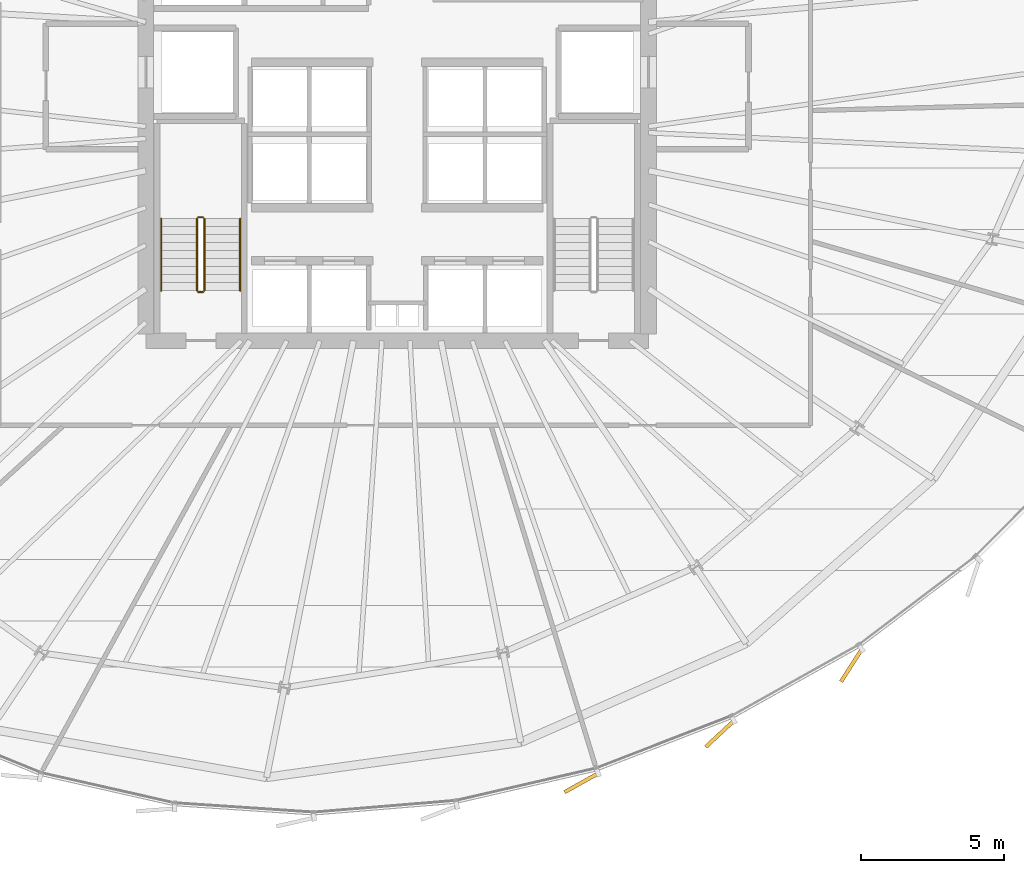
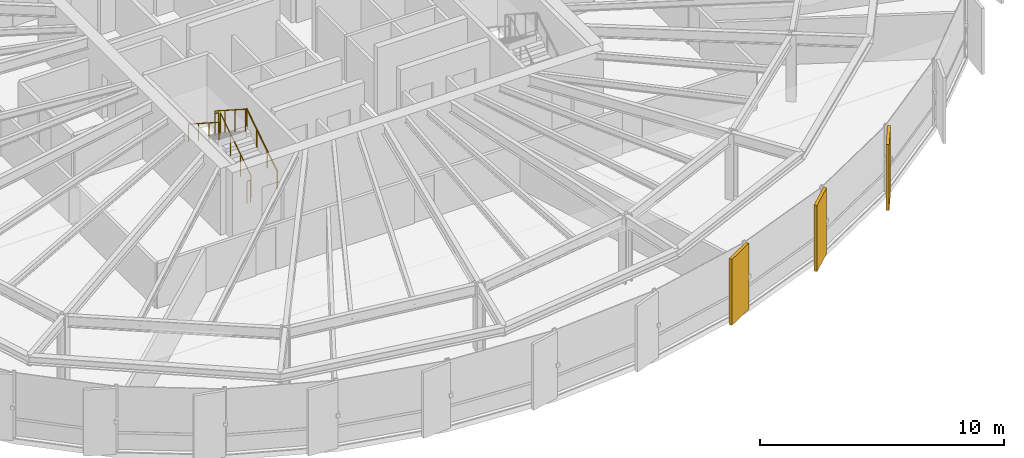
# One storey, part 33 of 35: 6 railings, 3 coverings.
"""IFC4 building model written with IfcOpenShell, lengths in metres."""

from ifc_helpers import new_model, si_unit, direction, frame, origin, origin_2d, place, context, subcontext, project, spatial, rectangle, circle, extrude, source, transform, mapped, material, layer, layer_set, type_object, element, save


model = new_model("IFC4")

# Units and contexts
model_context = context("Model", 3, precision=1e-05, world=origin(), true_north=direction((0.0, 1.0)))
body_context = subcontext(model_context, "Body", "Model", "MODEL_VIEW")
ifc_project = project(units=[si_unit("LENGTHUNIT", "METRE"), si_unit("AREAUNIT", "SQUARE_METRE"), si_unit("VOLUMEUNIT", "CUBIC_METRE"), si_unit("PLANEANGLEUNIT", "RADIAN"), si_unit("MASSUNIT", "GRAM", prefix="KILO"), si_unit("THERMODYNAMICTEMPERATUREUNIT", "KELVIN")], contexts=[model_context])

# Site, building, storey
site_placement = place(None, origin())
site = spatial("IfcSite", under=ifc_project, at=site_placement, CompositionType="ELEMENT")
building_placement = place(site_placement, origin())
building = spatial("IfcBuilding", under=site, at=building_placement, Name="Kethvar Cultural Tower", CompositionType="ELEMENT")
storey_placement = place(building_placement, frame((0.0, 0.0, 103.60009765625)))
storey = spatial("IfcBuildingStorey", under=building, at=storey_placement, Name="L25", CompositionType="ELEMENT", Elevation=103.60009765625)

# Railings
ifc_material_1 = material(Name="Steel S355J2", Category="steel")
railing_type_1 = type_object("IfcRailingType", Name="RL-STAIR-GUARD", PredefinedType="BALUSTRADE", material=ifc_material_1)
railing_1_placement = place(storey_placement, frame((40.050048828125, 21.85009765625, 0.179931640625)))
element("IfcRailing", 1, at=railing_1_placement, inside=storey, type_object=railing_type_1, Name="L25 ST-01 stair guard 1", PredefinedType="BALUSTRADE", context=body_context, shape_type="SweptSolid", body=[
    extrude(circle(Radius=0.02392578125, at=origin_2d()), frame((0.0, 0.0, 1.09619140625), z_axis=(0.0, 0.841199657755, 0.540724639528), x_axis=(-1.0, 0.0, 0.0)), (0.0, 0.0, 1.0), 2.995849609375),
    extrude(circle(Radius=0.02099609375, at=origin_2d()), origin(), (0.0, 0.0, 1.0), 1.072021484375),
    extrude(circle(Radius=0.02099609375, at=origin_2d()), frame((0.0, 0.840087890625, 0.5400390625)), (0.0, 0.0, 1.0), 1.072021484375),
    extrude(circle(Radius=0.02099609375, at=origin_2d()), frame((0.0, 1.679931640625, 1.079833984375)), (0.0, 0.0, 1.0), 1.072021484375),
    extrude(circle(Radius=0.02099609375, at=origin_2d()), frame((0.0, 2.52001953125, 1.619873046875)), (0.0, 0.0, 1.0), 1.072021484375),
])
railing_2_placement = place(storey_placement, frame((40.0, 24.419921875, 1.7998046875)))
element("IfcRailing", 2, at=railing_2_placement, inside=storey, type_object=railing_type_1, Name="L25 ST-01 stair guard 2", PredefinedType="BALUSTRADE", context=body_context, shape_type="SweptSolid", body=[
    extrude(circle(Radius=0.02392578125, at=origin_2d()), frame((0.0, 0.0, 1.09619140625), z_axis=(-1.0, 0.0, 0.0), x_axis=(0.0, -1.0, 0.0)), (0.0, 0.0, 1.0), 0.159912109375),
    extrude(circle(Radius=0.02099609375, at=origin_2d()), origin(), (0.0, 0.0, 1.0), 1.072021484375),
    extrude(circle(Radius=0.02099609375, at=origin_2d()), frame((-0.159912109375, 0.0, 0.0)), (0.0, 0.0, 1.0), 1.072021484375),
])
railing_3_placement = place(storey_placement, frame((39.7900390625, 24.3701171875, 1.97998046875)))
element("IfcRailing", 3, at=railing_3_placement, inside=storey, type_object=railing_type_1, Name="L25 ST-01 stair guard 3", PredefinedType="BALUSTRADE", context=body_context, shape_type="SweptSolid", body=[
    extrude(circle(Radius=0.02392578125, at=origin_2d()), frame((0.0, 0.0, 1.09619140625), z_axis=(0.0, -0.841199657755, 0.540724639528), x_axis=(1.0, 0.0, 0.0)), (0.0, 0.0, 1.0), 2.995849609375),
    extrude(circle(Radius=0.02099609375, at=origin_2d()), origin(), (0.0, 0.0, 1.0), 1.072021484375),
    extrude(circle(Radius=0.02099609375, at=origin_2d()), frame((0.0, -0.840087890625, 0.5400390625)), (0.0, 0.0, 1.0), 1.072021484375),
    extrude(circle(Radius=0.02099609375, at=origin_2d()), frame((0.0, -1.679931640625, 1.079833984375)), (0.0, 0.0, 1.0), 1.072021484375),
    extrude(circle(Radius=0.02099609375, at=origin_2d()), frame((0.0, -2.52001953125, 1.619873046875)), (0.0, 0.0, 1.0), 1.072021484375),
])
railing_4_placement = place(storey_placement, frame((40.0, 21.800048828125, 0.0)))
element("IfcRailing", 4, at=railing_4_placement, inside=storey, type_object=railing_type_1, Name="L25 ST-01 stair guard 4", PredefinedType="BALUSTRADE", context=body_context, shape_type="SweptSolid", body=[
    extrude(circle(Radius=0.02392578125, at=origin_2d()), frame((0.0, 0.0, 1.09619140625), z_axis=(-1.0, 0.0, 0.0), x_axis=(0.0, -1.0, 0.0)), (0.0, 0.0, 1.0), 0.159912109375),
    extrude(circle(Radius=0.02099609375, at=origin_2d()), origin(), (0.0, 0.0, 1.0), 1.072021484375),
    extrude(circle(Radius=0.02099609375, at=origin_2d()), frame((-0.159912109375, 0.0, 0.0)), (0.0, 0.0, 1.0), 1.072021484375),
])
railing_type_2 = type_object("IfcRailingType", Name="RL-STAIR-HANDRAIL", PredefinedType="HANDRAIL", material=ifc_material_1)
railing_5_placement = place(storey_placement, frame((41.300048828125, 21.85009765625, 0.179931640625)))
element("IfcRailing", 5, at=railing_5_placement, inside=storey, type_object=railing_type_2, Name="L25 ST-01 stair handrail 1", PredefinedType="HANDRAIL", context=body_context, shape_type="SweptSolid", body=[
    extrude(circle(Radius=0.02392578125, at=origin_2d()), frame((0.0, 0.0, 0.8759765625), z_axis=(0.0, 0.841199657755, 0.540724639528), x_axis=(-1.0, 0.0, 0.0)), (0.0, 0.0, 1.0), 2.995849609375),
    extrude(circle(Radius=0.02099609375, at=origin_2d()), origin(), (0.0, 0.0, 1.0), 0.851806640625),
    extrude(circle(Radius=0.02099609375, at=origin_2d()), frame((0.0, 0.840087890625, 0.5400390625)), (0.0, 0.0, 1.0), 0.851806640625),
    extrude(circle(Radius=0.02099609375, at=origin_2d()), frame((0.0, 1.679931640625, 1.079833984375)), (0.0, 0.0, 1.0), 0.851806640625),
    extrude(circle(Radius=0.02099609375, at=origin_2d()), frame((0.0, 2.52001953125, 1.619873046875)), (0.0, 0.0, 1.0), 0.851806640625),
])
railing_6_placement = place(storey_placement, frame((38.5400390625, 24.3701171875, 1.97998046875)))
element("IfcRailing", 6, at=railing_6_placement, inside=storey, type_object=railing_type_2, Name="L25 ST-01 stair handrail 2", PredefinedType="HANDRAIL", context=body_context, shape_type="SweptSolid", body=[
    extrude(circle(Radius=0.02392578125, at=origin_2d()), frame((0.0, 0.0, 0.8759765625), z_axis=(0.0, -0.841199657755, 0.540724639528), x_axis=(1.0, 0.0, 0.0)), (0.0, 0.0, 1.0), 2.995849609375),
    extrude(circle(Radius=0.02099609375, at=origin_2d()), origin(), (0.0, 0.0, 1.0), 0.851806640625),
    extrude(circle(Radius=0.02099609375, at=origin_2d()), frame((0.0, -0.840087890625, 0.5400390625)), (0.0, 0.0, 1.0), 0.851806640625),
    extrude(circle(Radius=0.02099609375, at=origin_2d()), frame((0.0, -1.679931640625, 1.079833984375)), (0.0, 0.0, 1.0), 0.851806640625),
    extrude(circle(Radius=0.02099609375, at=origin_2d()), frame((0.0, -2.52001953125, 1.619873046875)), (0.0, 0.0, 1.0), 0.851806640625),
])

# Coverings
ifc_material_2 = material(Name="Extruded Architectural Terracotta", Category="masonry")
ifc_layer = layer(ifc_material_2, 0.135009765625, Name="Extruded Architectural Terracotta", Category="masonry")
ifc_layer_set = layer_set([ifc_layer], Name="Extruded Architectural Terracotta (135 mm)")
covering_type = type_object("IfcCoveringType", Name="Terracotta Facade Fin FIN-02", PredefinedType="CLADDING", material=ifc_layer_set)
shared_shape = source(origin(), body_context, "Body", "SweptSolid", [
    extrude(rectangle(XDim=1.35009765625, YDim=0.135009765625, at=origin_2d()), origin(), (0.0, 0.0, 1.0), 3.31005859375),
])
for number, where, z_axis, x_axis, name in (
    (7, (53.2451171875, 4.623779296875, 0.019775390625), (0.0, 0.0, 1.0), (-0.873092319232, -0.487554922136, 0.0), "L25 Vertical Terracotta Fin 5.4"),
    (8, (58.091796875, 6.335693359375, 0.019775390625), (0.0, 0.0, 1.0), (-0.732542898787, -0.680720868959, 0.0), "L25 Vertical Terracotta Fin 5.5"),
    (9, (62.69921875, 8.73193359375, 0.019775390625), (0.0, 0.0, 1.0), (-0.539358796389, -0.842076058773, 0.0), "L25 Vertical Terracotta Fin 5.6"),
):
    element("IfcCovering", number, at=place(storey_placement, frame(where, z_axis=z_axis, x_axis=x_axis)), inside=storey, type_object=covering_type, Name=name, PredefinedType="CLADDING", context=body_context, shape_type="MappedRepresentation", body=[
        mapped(shared_shape, transform((0.0, 0.0, 0.0), scale=1.0)),
    ])

save(model, "model.ifc")
